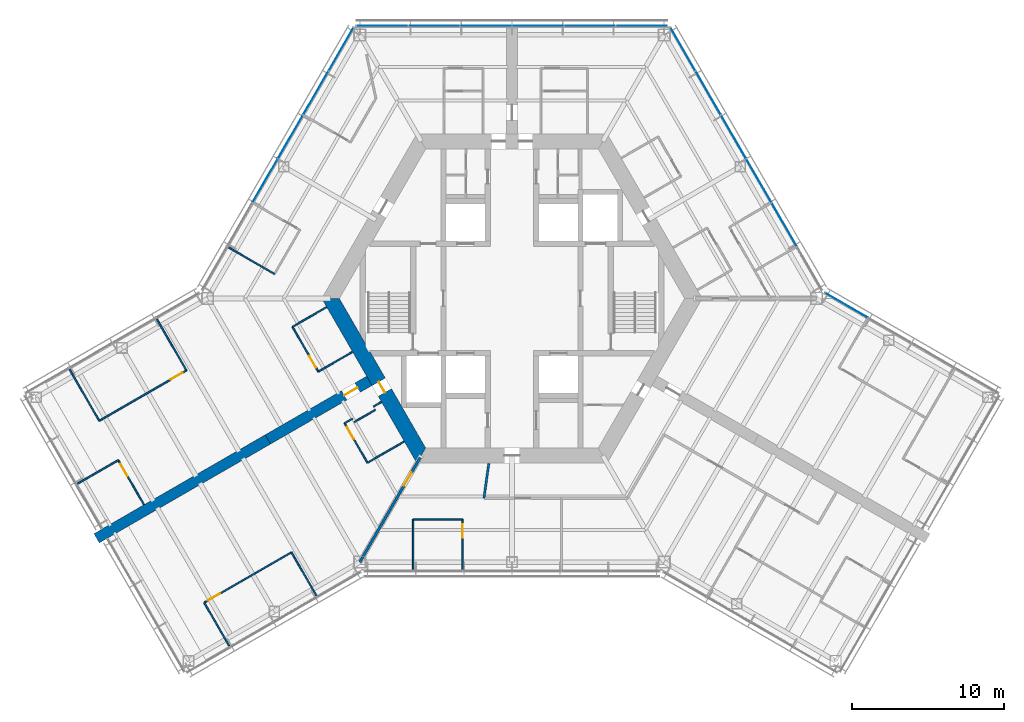
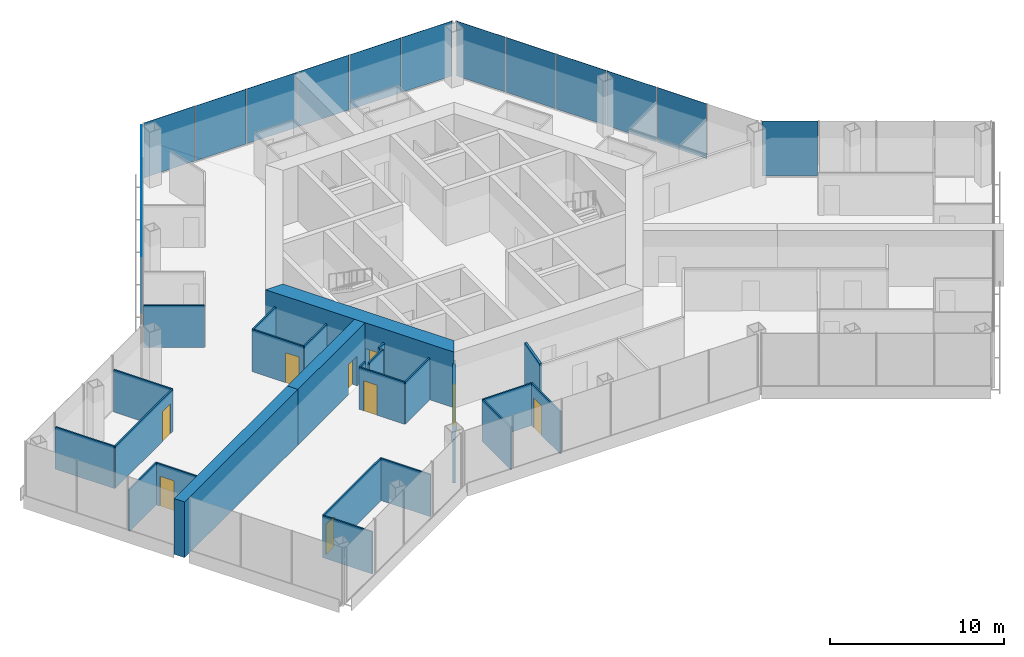
# One storey, part 11 of 18: 25 walls, 16 plates, 9 doors, 9 openings, 4 elements without a shape of their own.
"""IFC4 building model written with IfcOpenShell, lengths in metres."""

from ifc_helpers import new_model, si_unit, direction, frame, frame_2d, origin, origin_2d, place, context, subcontext, project, spatial, polyline, rectangle, outline, extrude, material, layer, layer_set, type_object, element, fill, aggregate, save


model = new_model("IFC4")

# Units and contexts
model_context = context("Model", 3, precision=1e-05, world=origin(), true_north=direction((0.0, 1.0)))
body_context = subcontext(model_context, "Body", "Model", "MODEL_VIEW")
ifc_project = project(units=[si_unit("LENGTHUNIT", "METRE"), si_unit("AREAUNIT", "SQUARE_METRE"), si_unit("VOLUMEUNIT", "CUBIC_METRE"), si_unit("PLANEANGLEUNIT", "RADIAN"), si_unit("MASSUNIT", "GRAM", prefix="KILO")], contexts=[model_context])

# Site, building, storey
site_placement = place(None, origin())
site = spatial("IfcSite", under=ifc_project, at=site_placement, CompositionType="ELEMENT")
building_placement = place(site_placement, origin())
building = spatial("IfcBuilding", under=site, at=building_placement, Name="Kasaneha Research Tower", CompositionType="ELEMENT")
storey_placement = place(building_placement, frame((0.0, 0.0, 176.0)))
storey = spatial("IfcBuildingStorey", under=building, at=storey_placement, Name="L44", CompositionType="ELEMENT", Elevation=176.0)

# Curtain wall, plate
ifc_material_1 = material(Name="Glass and aluminium", Category="aluminium")
curtain_wall_type = type_object("IfcCurtainWallType", Name="Mid-rise office curtain wall", PredefinedType="USERDEFINED", material=ifc_material_1)
curtain_wall_1_placement = place(storey_placement, origin())
curtain_wall_1 = element("IfcCurtainWall", 1, at=curtain_wall_1_placement, inside=storey, type_object=curtain_wall_type, Name="CW-O2 L44 run 05a", ObjectType="UNITISED CURTAIN WALL", PredefinedType="USERDEFINED")
ifc_material_2 = material(Name="Laminated double glazing", Category="glass")
ifc_layer_1 = layer(ifc_material_2, 0.02587890625)
ifc_layer_set_1 = layer_set([ifc_layer_1], Name="CW-O2 glazed panel")
plate_type = type_object("IfcPlateType", Name="CW-O2 glazed panel", PredefinedType="CURTAIN_PANEL", material=ifc_layer_set_1)
plate_1_placement = place(storey_placement, frame((21.971923828125, -0.44580078125, 0.06005859375), z_axis=(0.0, 0.0, 1.0), x_axis=(-0.866025411464, 0.499999986699, 0.0)))
plate_1 = element("IfcPlate", 2, at=plate_1_placement, type_object=plate_type, Name="CW-O2 panel 4", PredefinedType="CURTAIN_PANEL", context=body_context, shape_type="SweptSolid", body=[
    extrude(rectangle(XDim=3.2197265625, YDim=0.02587890625, at=origin_2d()), origin(), (0.0, 0.0, 1.0), 3.840087890625),
])
aggregate(curtain_wall_1, [plate_1])

# Curtain wall, plates
curtain_wall_2_placement = place(storey_placement, origin())
curtain_wall_2 = element("IfcCurtainWall", 3, at=curtain_wall_2_placement, inside=storey, type_object=curtain_wall_type, Name="CW-O2 L44 run 06a", ObjectType="UNITISED CURTAIN WALL", PredefinedType="USERDEFINED")
plate_2_placement = place(storey_placement, frame((17.89111328125, 4.852783203125, 0.06005859375), z_axis=(0.0, 0.0, 1.0), x_axis=(-0.499999979232, 0.866025415775, 0.0)))
plate_2 = element("IfcPlate", 4, at=plate_2_placement, type_object=plate_type, Name="CW-O2 panel 2", PredefinedType="CURTAIN_PANEL", context=body_context, shape_type="SweptSolid", body=[
    extrude(rectangle(XDim=3.27099609375, YDim=0.02587890625, at=origin_2d()), origin(), (0.0, 0.0, 1.0), 3.840087890625),
])
plate_3_placement = place(storey_placement, frame((16.2255859375, 7.737548828125, 0.06005859375), z_axis=(0.0, 0.0, 1.0), x_axis=(-0.499999979232, 0.866025415775, 0.0)))
plate_3 = element("IfcPlate", 5, at=plate_3_placement, type_object=plate_type, Name="CW-O2 panel 3", PredefinedType="CURTAIN_PANEL", context=body_context, shape_type="SweptSolid", body=[
    extrude(rectangle(XDim=3.27099609375, YDim=0.02587890625, at=origin_2d()), origin(), (0.0, 0.0, 1.0), 3.840087890625),
])
plate_4_placement = place(storey_placement, frame((14.56005859375, 10.622314453125, 0.06005859375), z_axis=(0.0, 0.0, 1.0), x_axis=(-0.499999979232, 0.866025415775, 0.0)))
plate_4 = element("IfcPlate", 6, at=plate_4_placement, type_object=plate_type, Name="CW-O2 panel 4", PredefinedType="CURTAIN_PANEL", context=body_context, shape_type="SweptSolid", body=[
    extrude(rectangle(XDim=3.27099609375, YDim=0.02587890625, at=origin_2d()), origin(), (0.0, 0.0, 1.0), 3.840087890625),
])
plate_5_placement = place(storey_placement, frame((12.89453125, 13.5068359375, 0.06005859375), z_axis=(0.0, 0.0, 1.0), x_axis=(-0.499999979232, 0.866025415775, 0.0)))
plate_5 = element("IfcPlate", 7, at=plate_5_placement, type_object=plate_type, Name="CW-O2 panel 5", PredefinedType="CURTAIN_PANEL", context=body_context, shape_type="SweptSolid", body=[
    extrude(rectangle(XDim=3.27099609375, YDim=0.02587890625, at=origin_2d()), origin(), (0.0, 0.0, 1.0), 3.840087890625),
])
plate_6_placement = place(storey_placement, frame((11.236572265625, 16.378662109375, 0.06005859375), z_axis=(0.0, 0.0, 1.0), x_axis=(-0.499999979232, 0.866025415775, 0.0)))
plate_6 = element("IfcPlate", 8, at=plate_6_placement, type_object=plate_type, Name="CW-O2 panel 6", PredefinedType="CURTAIN_PANEL", context=body_context, shape_type="SweptSolid", body=[
    extrude(rectangle(XDim=3.240966796875, YDim=0.02587890625, at=origin_2d()), origin(), (0.0, 0.0, 1.0), 3.840087890625),
])
aggregate(curtain_wall_2, [plate_2, plate_3, plate_4, plate_5, plate_6])

curtain_wall_3_placement = place(storey_placement, origin())
curtain_wall_3 = element("IfcCurtainWall", 9, at=curtain_wall_3_placement, inside=storey, type_object=curtain_wall_type, Name="CW-O2 L44 run 07a", ObjectType="UNITISED CURTAIN WALL", PredefinedType="USERDEFINED")
plate_7_placement = place(storey_placement, frame((8.523681640625, 17.92041015625, 0.06005859375), z_axis=(0.0, 0.0, 1.0), x_axis=(-1.0, 0.0, 0.0)))
plate_7 = element("IfcPlate", 10, at=plate_7_placement, type_object=plate_type, Name="CW-O2 panel 1", PredefinedType="CURTAIN_PANEL", context=body_context, shape_type="SweptSolid", body=[
    extrude(rectangle(XDim=3.325439453125, YDim=0.02587890625, at=origin_2d()), origin(), (0.0, 0.0, 1.0), 3.840087890625),
])
plate_8_placement = place(storey_placement, frame((5.123291015625, 17.92041015625, 0.06005859375), z_axis=(0.0, 0.0, 1.0), x_axis=(-1.0, 0.0, 0.0)))
plate_8 = element("IfcPlate", 11, at=plate_8_placement, type_object=plate_type, Name="CW-O2 panel 2", PredefinedType="CURTAIN_PANEL", context=body_context, shape_type="SweptSolid", body=[
    extrude(rectangle(XDim=3.35546875, YDim=0.02587890625, at=origin_2d()), origin(), (0.0, 0.0, 1.0), 3.840087890625),
])
plate_9_placement = place(storey_placement, frame((1.707763671875, 17.92041015625, 0.06005859375), z_axis=(0.0, 0.0, 1.0), x_axis=(-1.0, 0.0, 0.0)))
plate_9 = element("IfcPlate", 12, at=plate_9_placement, type_object=plate_type, Name="CW-O2 panel 3", PredefinedType="CURTAIN_PANEL", context=body_context, shape_type="SweptSolid", body=[
    extrude(rectangle(XDim=3.35546875, YDim=0.02587890625, at=origin_2d()), origin(), (0.0, 0.0, 1.0), 3.840087890625),
])
plate_10_placement = place(storey_placement, frame((-1.707763671875, 17.92041015625, 0.06005859375), z_axis=(0.0, 0.0, 1.0), x_axis=(-1.0, 0.0, 0.0)))
plate_10 = element("IfcPlate", 13, at=plate_10_placement, type_object=plate_type, Name="CW-O2 panel 4", PredefinedType="CURTAIN_PANEL", context=body_context, shape_type="SweptSolid", body=[
    extrude(rectangle(XDim=3.35546875, YDim=0.02587890625, at=origin_2d()), origin(), (0.0, 0.0, 1.0), 3.840087890625),
])
plate_11_placement = place(storey_placement, frame((-5.123291015625, 17.92041015625, 0.06005859375), z_axis=(0.0, 0.0, 1.0), x_axis=(-1.0, 0.0, 0.0)))
plate_11 = element("IfcPlate", 14, at=plate_11_placement, type_object=plate_type, Name="CW-O2 panel 5", PredefinedType="CURTAIN_PANEL", context=body_context, shape_type="SweptSolid", body=[
    extrude(rectangle(XDim=3.35546875, YDim=0.02587890625, at=origin_2d()), origin(), (0.0, 0.0, 1.0), 3.840087890625),
])
plate_12_placement = place(storey_placement, frame((-8.523681640625, 17.92041015625, 0.06005859375), z_axis=(0.0, 0.0, 1.0), x_axis=(-1.0, 0.0, 0.0)))
plate_12 = element("IfcPlate", 15, at=plate_12_placement, type_object=plate_type, Name="CW-O2 panel 6", PredefinedType="CURTAIN_PANEL", context=body_context, shape_type="SweptSolid", body=[
    extrude(rectangle(XDim=3.325439453125, YDim=0.02587890625, at=origin_2d()), origin(), (0.0, 0.0, 1.0), 3.840087890625),
])
aggregate(curtain_wall_3, [plate_7, plate_8, plate_9, plate_10, plate_11, plate_12])

curtain_wall_4_placement = place(storey_placement, origin())
curtain_wall_4 = element("IfcCurtainWall", 16, at=curtain_wall_4_placement, inside=storey, type_object=curtain_wall_type, Name="CW-O2 L44 run 08a", ObjectType="UNITISED CURTAIN WALL", PredefinedType="USERDEFINED")
plate_13_placement = place(storey_placement, frame((-11.236572265625, 16.378662109375, 0.06005859375), z_axis=(0.0, 0.0, 1.0), x_axis=(-0.499999979232, -0.866025415775, 0.0)))
plate_13 = element("IfcPlate", 17, at=plate_13_placement, type_object=plate_type, Name="CW-O2 panel 1", PredefinedType="CURTAIN_PANEL", context=body_context, shape_type="SweptSolid", body=[
    extrude(rectangle(XDim=3.240966796875, YDim=0.02587890625, at=origin_2d()), origin(), (0.0, 0.0, 1.0), 3.840087890625),
])
plate_14_placement = place(storey_placement, frame((-12.89453125, 13.5068359375, 0.06005859375), z_axis=(0.0, 0.0, 1.0), x_axis=(-0.499999979232, -0.866025415775, 0.0)))
plate_14 = element("IfcPlate", 18, at=plate_14_placement, type_object=plate_type, Name="CW-O2 panel 2", PredefinedType="CURTAIN_PANEL", context=body_context, shape_type="SweptSolid", body=[
    extrude(rectangle(XDim=3.27099609375, YDim=0.02587890625, at=origin_2d()), origin(), (0.0, 0.0, 1.0), 3.840087890625),
])
plate_15_placement = place(storey_placement, frame((-14.56005859375, 10.622314453125, 0.06005859375), z_axis=(0.0, 0.0, 1.0), x_axis=(-0.499999979232, -0.866025415775, 0.0)))
plate_15 = element("IfcPlate", 19, at=plate_15_placement, type_object=plate_type, Name="CW-O2 panel 3", PredefinedType="CURTAIN_PANEL", context=body_context, shape_type="SweptSolid", body=[
    extrude(rectangle(XDim=3.27099609375, YDim=0.02587890625, at=origin_2d()), origin(), (0.0, 0.0, 1.0), 3.840087890625),
])
plate_16_placement = place(storey_placement, frame((-16.2255859375, 7.737548828125, 0.06005859375), z_axis=(0.0, 0.0, 1.0), x_axis=(-0.499999979232, -0.866025415775, 0.0)))
plate_16 = element("IfcPlate", 20, at=plate_16_placement, type_object=plate_type, Name="CW-O2 panel 4", PredefinedType="CURTAIN_PANEL", context=body_context, shape_type="SweptSolid", body=[
    extrude(rectangle(XDim=3.27099609375, YDim=0.02587890625, at=origin_2d()), origin(), (0.0, 0.0, 1.0), 3.840087890625),
])
aggregate(curtain_wall_4, [plate_13, plate_14, plate_15, plate_16])

# Wall, opening, door
ifc_material_3 = material(Name="Concrete Fc70", Category="concrete")
ifc_layer_2 = layer(ifc_material_3, 1.0)
ifc_layer_set_2 = layer_set([ifc_layer_2], Name="Core wall 1000 Fc70")
wall_type_1 = type_object("IfcWallType", Name="Core wall 1000 Fc70", PredefinedType="SHEAR", material=ifc_layer_set_2)
wall_1_placement = place(storey_placement, frame((-11.92236328125, 0.0, 0.0), z_axis=(0.0, 0.0, 1.0), x_axis=(0.500004296715, -0.866022923061, 0.0)))
wall_1 = element("IfcWall", 21, at=wall_1_placement, inside=storey, type_object=wall_type_1, Name="Core wall 210 L44", PredefinedType="SHEAR", context=body_context, shape_type="SweptSolid", body=[
    extrude(outline(polyline([(-0.28857421875, -0.5), (6.3310546875, -0.5), (7.131103515625, -0.5), (12.2109375, -0.5), (11.6337890625, 0.5), (7.131103515625, 0.5), (6.3310546875, 0.5), (0.28857421875, 0.5), (-0.28857421875, -0.5)])), origin(), (0.0, 0.0, 1.0), 3.89990234375),
])
opening_1_placement = place(wall_1_placement, frame((6.3310546875, 0.0, 0.0)))
opening_1 = element("IfcOpeningElement", 22, at=opening_1_placement, cuts=wall_1, Name="Opening L44-D06", PredefinedType="OPENING", context=body_context, shape_type="SweptSolid", body=[
    extrude(rectangle(XDim=0.800048828125, YDim=2.10009765625, at=frame_2d((0.39990234375, 1.050048828125))), frame((0.0, 0.510009765625, 0.0), z_axis=(0.0, -1.0, 0.0), x_axis=(1.0, 0.0, 0.0)), (0.0, 0.0, 1.0), 1.02001953125),
])
ifc_material_4 = material(Name="Steel", Category="steel")
door_type_1 = type_object("IfcDoorType", Name="Riser access door FD60 800x2100", OperationType="NOTDEFINED", PredefinedType="DOOR", material=ifc_material_4)
door_1_placement = place(opening_1_placement, origin())
door_1 = element("IfcDoor", 23, at=door_1_placement, inside=storey, type_object=door_type_1, Name="Duct riser door L44-D06", OperationType="SINGLE_SWING_RIGHT", OverallHeight=2.10009765625, OverallWidth=0.800048828125, PredefinedType="DOOR", context=body_context, shape_type="SweptSolid", body=[
    extrude(rectangle(XDim=0.800048828125, YDim=2.10009765625, at=frame_2d((0.39990234375, 1.050048828125))), frame((0.0, 0.02490234375, 0.0), z_axis=(0.0, -1.0, 0.0), x_axis=(1.0, 0.0, 0.0)), (0.0, 0.0, 1.0), 0.050048828125),
])
fill(opening_1, door_1)

# Walls
ifc_material_5 = material(Name="Gypsum board on steel studs, one layer each side", Category="steel")
ifc_layer_3 = layer(ifc_material_5, 0.10009765625)
ifc_layer_set_3 = layer_set([ifc_layer_3], Name="Office partition 100")
wall_type_2 = type_object("IfcWallType", Name="Office partition 100", PredefinedType="PARTITIONING", material=ifc_layer_set_3)
wall_2_placement = place(storey_placement, frame((-15.606201171875, 1.610595703125, 0.0), z_axis=(0.0, 0.0, 1.0), x_axis=(-0.86601968407, 0.500009906705, 0.0)))
element("IfcWall", 24, at=wall_2_placement, inside=storey, type_object=wall_type_2, Name="Office partition FBN05 L44", PredefinedType="PARTITIONING", context=body_context, shape_type="SweptSolid", body=[
    extrude(rectangle(XDim=3.47998046875, YDim=0.10009765625, at=frame_2d((1.739990234375, 0.0))), origin(), (0.0, 0.0, 1.0), 2.949951171875),
])
wall_3_placement = place(storey_placement, frame((-27.125, -8.03955078125, 0.0), z_axis=(0.0, 0.0, 1.0), x_axis=(-0.499978621081, 0.866037746557, 0.0)))
element("IfcWall", 25, at=wall_3_placement, inside=storey, type_object=wall_type_2, Name="Office partition FBN07 L44", PredefinedType="PARTITIONING", context=body_context, shape_type="SweptSolid", body=[
    extrude(rectangle(XDim=3.905029296875, YDim=0.10009765625, at=frame_2d((1.95263671875, 0.0))), origin(), (0.0, 0.0, 1.0), 2.949951171875),
])
wall_4_placement = place(storey_placement, frame((-23.332275390625, -1.36962890625, 0.0), z_axis=(0.0, 0.0, 1.0), x_axis=(0.500043804875, -0.866000111551, 0.0)))
element("IfcWall", 26, at=wall_4_placement, inside=storey, type_object=wall_type_2, Name="Office partition FBN08 L44", PredefinedType="PARTITIONING", context=body_context, shape_type="SweptSolid", body=[
    extrude(rectangle(XDim=3.880126953125, YDim=0.10009765625, at=frame_2d((1.93994140625, 0.0))), origin(), (0.0, 0.0, 1.0), 2.949951171875),
])

# Wall, opening, door
wall_5_placement = place(storey_placement, frame((-21.39208984375, -4.729736328125, 0.0), z_axis=(0.0, 0.0, 1.0), x_axis=(-0.866030817826, -0.499990622488, 0.0)))
wall_5 = element("IfcWall", 27, at=wall_5_placement, inside=storey, type_object=wall_type_2, Name="Office partition FBN09 L44", PredefinedType="PARTITIONING", context=body_context, shape_type="SweptSolid", body=[
    extrude(rectangle(XDim=6.619873046875, YDim=0.10009765625, at=frame_2d((3.31005859375, 0.0))), origin(), (0.0, 0.0, 1.0), 2.949951171875),
])
opening_2_placement = place(wall_5_placement, frame((0.300048828125, 0.0, 0.0)))
opening_2 = element("IfcOpeningElement", 28, at=opening_2_placement, cuts=wall_5, Name="Opening L44-D37", PredefinedType="OPENING", context=body_context, shape_type="SweptSolid", body=[
    extrude(rectangle(XDim=0.89990234375, YDim=2.10009765625, at=frame_2d((0.449951171875, 1.050048828125))), frame((0.0, 0.06005859375, 0.0), z_axis=(0.0, -1.0, 0.0), x_axis=(1.0, 0.0, 0.0)), (0.0, 0.0, 1.0), 0.1201171875),
])
ifc_material_6 = material(Name="Timber veneer", Category="wood")
door_type_2 = type_object("IfcDoorType", Name="Office door 900x2100", OperationType="SINGLE_SWING_LEFT", PredefinedType="DOOR", material=ifc_material_6)
door_2_placement = place(opening_2_placement, origin())
door_2 = element("IfcDoor", 29, at=door_2_placement, inside=storey, type_object=door_type_2, Name="Meeting room door L44-D37", OperationType="SINGLE_SWING_LEFT", OverallHeight=2.10009765625, OverallWidth=0.89990234375, PredefinedType="DOOR", context=body_context, shape_type="SweptSolid", body=[
    extrude(rectangle(XDim=0.89990234375, YDim=2.10009765625, at=frame_2d((0.449951171875, 1.050048828125))), frame((0.0, 0.02490234375, 0.0), z_axis=(0.0, -1.0, 0.0), x_axis=(1.0, 0.0, 0.0)), (0.0, 0.0, 1.0), 0.050048828125),
])
fill(opening_2, door_2)

# Wall
wall_6_placement = place(storey_placement, frame((-14.426513671875, -1.86279296875, 0.0), z_axis=(0.0, 0.0, 1.0), x_axis=(0.866045356598, 0.49996543912, 0.0)))
element("IfcWall", 30, at=wall_6_placement, inside=storey, type_object=wall_type_2, Name="Office partition FBN10 L44", PredefinedType="PARTITIONING", context=body_context, shape_type="SweptSolid", body=[
    extrude(rectangle(XDim=2.580322265625, YDim=0.10009765625, at=frame_2d((1.2900390625, 0.0))), origin(), (0.0, 0.0, 1.0), 2.949951171875),
])

# Wall, opening, door
wall_7_placement = place(storey_placement, frame((-12.726318359375, -4.80712890625, 0.0), z_axis=(0.0, 0.0, 1.0), x_axis=(-0.500062241894, 0.865989465428, 0.0)))
wall_7 = element("IfcWall", 31, at=wall_7_placement, inside=storey, type_object=wall_type_2, Name="Office partition FBN11 L44", PredefinedType="PARTITIONING", context=body_context, shape_type="SweptSolid", body=[
    extrude(rectangle(XDim=3.39990234375, YDim=0.10009765625, at=frame_2d((1.699951171875, 0.0))), origin(), (0.0, 0.0, 1.0), 2.949951171875),
])
opening_3_placement = place(wall_7_placement, frame((0.300048828125, 0.0, 0.0)))
opening_3 = element("IfcOpeningElement", 32, at=opening_3_placement, cuts=wall_7, Name="Opening L44-D38", PredefinedType="OPENING", context=body_context, shape_type="SweptSolid", body=[
    extrude(rectangle(XDim=0.89990234375, YDim=2.10009765625, at=frame_2d((0.449951171875, 1.050048828125))), frame((0.0, 0.06005859375, 0.0), z_axis=(0.0, -1.0, 0.0), x_axis=(1.0, 0.0, 0.0)), (0.0, 0.0, 1.0), 0.1201171875),
])
door_3_placement = place(opening_3_placement, origin())
door_3 = element("IfcDoor", 33, at=door_3_placement, inside=storey, type_object=door_type_2, Name="Phone room door L44-D38", OperationType="SINGLE_SWING_LEFT", OverallHeight=2.10009765625, OverallWidth=0.89990234375, PredefinedType="DOOR", context=body_context, shape_type="SweptSolid", body=[
    extrude(rectangle(XDim=0.89990234375, YDim=2.10009765625, at=frame_2d((0.449951171875, 1.050048828125))), frame((0.0, 0.02490234375, 0.0), z_axis=(0.0, -1.0, 0.0), x_axis=(1.0, 0.0, 0.0)), (0.0, 0.0, 1.0), 0.050048828125),
])
fill(opening_3, door_3)

# Walls
wall_8_placement = place(storey_placement, frame((-10.491943359375, -3.51708984375, 0.0), z_axis=(0.0, 0.0, 1.0), x_axis=(-0.866021702275, -0.500006411147, 0.0)))
element("IfcWall", 34, at=wall_8_placement, inside=storey, type_object=wall_type_2, Name="Office partition FBN12 L44", PredefinedType="PARTITIONING", context=body_context, shape_type="SweptSolid", body=[
    extrude(rectangle(XDim=2.580078125, YDim=0.10009765625, at=frame_2d((1.2900390625, 0.0))), origin(), (0.0, 0.0, 1.0), 2.949951171875),
])
wall_9_placement = place(storey_placement, frame((-28.5625, -12.1796875, 0.0), z_axis=(0.0, 0.0, 1.0), x_axis=(0.866042875753, 0.499969736442, 0.0)))
element("IfcWall", 35, at=wall_9_placement, inside=storey, type_object=wall_type_2, Name="Office partition FBN13 L44", PredefinedType="PARTITIONING", context=body_context, shape_type="SweptSolid", body=[
    extrude(rectangle(XDim=3.105224609375, YDim=0.10009765625, at=frame_2d((1.552734375, 0.0))), origin(), (0.0, 0.0, 1.0), 2.949951171875),
])

# Wall, opening, door
wall_10_placement = place(storey_placement, frame((-25.873291015625, -10.627197265625, 0.0), z_axis=(0.0, 0.0, 1.0), x_axis=(0.5000115033, -0.866018762249, 0.0)))
wall_10 = element("IfcWall", 36, at=wall_10_placement, inside=storey, type_object=wall_type_2, Name="Office partition FBN14 L44", PredefinedType="PARTITIONING", context=body_context, shape_type="SweptSolid", body=[
    extrude(rectangle(XDim=3.36328125, YDim=0.10009765625, at=frame_2d((1.681640625, 0.0))), origin(), (0.0, 0.0, 1.0), 2.949951171875),
])
opening_4_placement = place(wall_10_placement, frame((0.300048828125, 0.0, 0.0)))
opening_4 = element("IfcOpeningElement", 37, at=opening_4_placement, cuts=wall_10, Name="Opening L44-D39", PredefinedType="OPENING", context=body_context, shape_type="SweptSolid", body=[
    extrude(rectangle(XDim=0.89990234375, YDim=2.10009765625, at=frame_2d((0.449951171875, 1.050048828125))), frame((0.0, 0.06005859375, 0.0), z_axis=(0.0, -1.0, 0.0), x_axis=(1.0, 0.0, 0.0)), (0.0, 0.0, 1.0), 0.1201171875),
])
door_4_placement = place(opening_4_placement, origin())
door_4 = element("IfcDoor", 38, at=door_4_placement, inside=storey, type_object=door_type_2, Name="Workroom door L44-D39", OperationType="SINGLE_SWING_LEFT", OverallHeight=2.10009765625, OverallWidth=0.89990234375, PredefinedType="DOOR", context=body_context, shape_type="SweptSolid", body=[
    extrude(rectangle(XDim=0.89990234375, YDim=2.10009765625, at=frame_2d((0.449951171875, 1.050048828125))), frame((0.0, 0.02490234375, 0.0), z_axis=(0.0, -1.0, 0.0), x_axis=(1.0, 0.0, 0.0)), (0.0, 0.0, 1.0), 0.050048828125),
])
fill(opening_4, door_4)

# Walls
wall_11_placement = place(storey_placement, frame((-10.99951171875, -8.197998046875, 0.0), z_axis=(0.0, 0.0, 1.0), x_axis=(0.866131372301, 0.499816412211, 0.0)))
element("IfcWall", 39, at=wall_11_placement, inside=storey, type_object=wall_type_2, Name="Office partition FBS01 L44", PredefinedType="PARTITIONING", context=body_context, shape_type="SweptSolid", body=[
    extrude(rectangle(XDim=0.599853515625, YDim=0.10009765625, at=frame_2d((0.2998046875, 0.0))), origin(), (0.0, 0.0, 1.0), 2.949951171875),
])
wall_12_placement = place(storey_placement, frame((-10.35498046875, -8.114501953125, 0.0), z_axis=(0.0, 0.0, 1.0), x_axis=(0.866094119867, 0.499880961361, 0.0)))
element("IfcWall", 40, at=wall_12_placement, inside=storey, type_object=wall_type_2, Name="Office partition FBS02 L44", PredefinedType="PARTITIONING", context=body_context, shape_type="SweptSolid", body=[
    extrude(rectangle(XDim=1.60009765625, YDim=0.10009765625, at=frame_2d((0.800048828125, 0.0))), origin(), (0.0, 0.0, 1.0), 2.949951171875),
])

# Wall, opening, door
wall_13_placement = place(storey_placement, frame((-9.49951171875, -10.796142578125, 0.0), z_axis=(0.0, 0.0, 1.0), x_axis=(-0.499990139034, 0.866031096941, 0.0)))
wall_13 = element("IfcWall", 41, at=wall_13_placement, inside=storey, type_object=wall_type_2, Name="Office partition FBS03 L44", PredefinedType="PARTITIONING", context=body_context, shape_type="SweptSolid", body=[
    extrude(rectangle(XDim=3.0, YDim=0.10009765625, at=frame_2d((1.5, 0.0))), origin(), (0.0, 0.0, 1.0), 2.949951171875),
])
opening_5_placement = place(wall_13_placement, frame((1.800048828125, 0.0, 0.0)))
opening_5 = element("IfcOpeningElement", 42, at=opening_5_placement, cuts=wall_13, Name="Opening L44-D40", PredefinedType="OPENING", context=body_context, shape_type="SweptSolid", body=[
    extrude(rectangle(XDim=0.89990234375, YDim=2.10009765625, at=frame_2d((0.449951171875, 1.050048828125))), frame((0.0, 0.06005859375, 0.0), z_axis=(0.0, -1.0, 0.0), x_axis=(1.0, 0.0, 0.0)), (0.0, 0.0, 1.0), 0.1201171875),
])
door_5_placement = place(opening_5_placement, origin())
door_5 = element("IfcDoor", 43, at=door_5_placement, inside=storey, type_object=door_type_2, Name="Pantry door L44-D40", OperationType="SINGLE_SWING_RIGHT", OverallHeight=2.10009765625, OverallWidth=0.89990234375, PredefinedType="DOOR", context=body_context, shape_type="SweptSolid", body=[
    extrude(rectangle(XDim=0.89990234375, YDim=2.10009765625, at=frame_2d((0.449951171875, 1.050048828125))), frame((0.0, 0.02490234375, 0.0), z_axis=(0.0, -1.0, 0.0), x_axis=(1.0, 0.0, 0.0)), (0.0, 0.0, 1.0), 0.050048828125),
])
fill(opening_5, door_5)

# Walls
wall_14_placement = place(storey_placement, frame((-9.09423828125, -7.09814453125, 0.0), z_axis=(0.0, 0.0, 1.0), x_axis=(0.865954211699, 0.50012328804, 0.0)))
element("IfcWall", 44, at=wall_14_placement, inside=storey, type_object=wall_type_2, Name="Office partition FBS04 L44", PredefinedType="PARTITIONING", context=body_context, shape_type="SweptSolid", body=[
    extrude(rectangle(XDim=0.579833984375, YDim=0.10009765625, at=frame_2d((0.2900390625, 0.0))), origin(), (0.0, 0.0, 1.0), 2.949951171875),
])
wall_15_placement = place(storey_placement, frame((-7.092041015625, -9.40625, 0.0), z_axis=(0.0, 0.0, 1.0), x_axis=(-0.86603494908, -0.499983466698, 0.0)))
element("IfcWall", 45, at=wall_15_placement, inside=storey, type_object=wall_type_2, Name="Office partition FBS05 L44", PredefinedType="PARTITIONING", context=body_context, shape_type="SweptSolid", body=[
    extrude(rectangle(XDim=2.77978515625, YDim=0.10009765625, at=frame_2d((1.389892578125, 0.0))), origin(), (0.0, 0.0, 1.0), 2.949951171875),
])

# Wall, opening, door
wall_16_placement = place(storey_placement, frame((-20.22509765625, -19.99072265625, 0.0), z_axis=(0.0, 0.0, 1.0), x_axis=(0.866030817826, 0.499990622488, 0.0)))
wall_16 = element("IfcWall", 46, at=wall_16_placement, inside=storey, type_object=wall_type_2, Name="Office partition FBS06 L44", PredefinedType="PARTITIONING", context=body_context, shape_type="SweptSolid", body=[
    extrude(rectangle(XDim=6.619873046875, YDim=0.10009765625, at=frame_2d((3.31005859375, 0.0))), origin(), (0.0, 0.0, 1.0), 2.949951171875),
])
opening_6_placement = place(wall_16_placement, frame((0.300048828125, 0.0, 0.0)))
opening_6 = element("IfcOpeningElement", 47, at=opening_6_placement, cuts=wall_16, Name="Opening L44-D41", PredefinedType="OPENING", context=body_context, shape_type="SweptSolid", body=[
    extrude(rectangle(XDim=0.89990234375, YDim=2.10009765625, at=frame_2d((0.449951171875, 1.050048828125))), frame((0.0, 0.06005859375, 0.0), z_axis=(0.0, -1.0, 0.0), x_axis=(1.0, 0.0, 0.0)), (0.0, 0.0, 1.0), 0.1201171875),
])
door_6_placement = place(opening_6_placement, origin())
door_6 = element("IfcDoor", 48, at=door_6_placement, inside=storey, type_object=door_type_2, Name="Manager's office door L44-D41", OperationType="SINGLE_SWING_LEFT", OverallHeight=2.10009765625, OverallWidth=0.89990234375, PredefinedType="DOOR", context=body_context, shape_type="SweptSolid", body=[
    extrude(rectangle(XDim=0.89990234375, YDim=2.10009765625, at=frame_2d((0.449951171875, 1.050048828125))), frame((0.0, 0.02490234375, 0.0), z_axis=(0.0, -1.0, 0.0), x_axis=(1.0, 0.0, 0.0)), (0.0, 0.0, 1.0), 0.050048828125),
])
fill(opening_6, door_6)

# Walls
wall_17_placement = place(storey_placement, frame((-18.5849609375, -22.831298828125, 0.0), z_axis=(0.0, 0.0, 1.0), x_axis=(-0.50002956483, 0.866008333849, 0.0)))
element("IfcWall", 49, at=wall_17_placement, inside=storey, type_object=wall_type_2, Name="Office partition FBS07 L44", PredefinedType="PARTITIONING", context=body_context, shape_type="SweptSolid", body=[
    extrude(rectangle(XDim=3.280029296875, YDim=0.10009765625, at=frame_2d((1.64013671875, 0.0))), origin(), (0.0, 0.0, 1.0), 2.949951171875),
])
wall_18_placement = place(storey_placement, frame((-14.4921875, -16.680908203125, 0.0), z_axis=(0.0, 0.0, 1.0), x_axis=(0.500008057651, -0.866020751647, 0.0)))
element("IfcWall", 50, at=wall_18_placement, inside=storey, type_object=wall_type_2, Name="Office partition FBS08 L44", PredefinedType="PARTITIONING", context=body_context, shape_type="SweptSolid", body=[
    extrude(rectangle(XDim=3.30517578125, YDim=0.10009765625, at=frame_2d((1.652587890625, 0.0))), origin(), (0.0, 0.0, 1.0), 2.949951171875),
])
wall_19_placement = place(storey_placement, frame((-6.492919921875, -17.800537109375, 0.0), z_axis=(0.0, 0.0, 1.0), x_axis=(0.0, 1.0, 0.0)))
element("IfcWall", 51, at=wall_19_placement, inside=storey, type_object=wall_type_2, Name="Office partition FCS12 L44", PredefinedType="PARTITIONING", context=body_context, shape_type="SweptSolid", body=[
    extrude(rectangle(XDim=3.280029296875, YDim=0.10009765625, at=frame_2d((1.64013671875, 0.0))), origin(), (0.0, 0.0, 1.0), 2.949951171875),
])
wall_20_placement = place(storey_placement, frame((-6.492919921875, -14.5205078125, 0.0), z_axis=(0.0, 0.0, 1.0), x_axis=(1.0, 0.0, 0.0)))
element("IfcWall", 52, at=wall_20_placement, inside=storey, type_object=wall_type_2, Name="Office partition FCS13 L44", PredefinedType="PARTITIONING", context=body_context, shape_type="SweptSolid", body=[
    extrude(rectangle(XDim=3.24658203125, YDim=0.10009765625, at=frame_2d((1.623291015625, 0.0))), origin(), (0.0, 0.0, 1.0), 2.949951171875),
])

# Wall, opening, door
wall_21_placement = place(storey_placement, frame((-3.246337890625, -14.5205078125, 0.0), z_axis=(0.0, 0.0, 1.0), x_axis=(0.0, -1.0, 0.0)))
wall_21 = element("IfcWall", 53, at=wall_21_placement, inside=storey, type_object=wall_type_2, Name="Office partition FCS14 L44", PredefinedType="PARTITIONING", context=body_context, shape_type="SweptSolid", body=[
    extrude(rectangle(XDim=3.330078125, YDim=0.10009765625, at=frame_2d((1.6650390625, 0.0))), origin(), (0.0, 0.0, 1.0), 2.949951171875),
])
opening_7_placement = place(wall_21_placement, frame((0.300048828125, 0.0, 0.0)))
opening_7 = element("IfcOpeningElement", 54, at=opening_7_placement, cuts=wall_21, Name="Opening L44-D48", PredefinedType="OPENING", context=body_context, shape_type="SweptSolid", body=[
    extrude(rectangle(XDim=0.89990234375, YDim=2.10009765625, at=frame_2d((0.449951171875, 1.050048828125))), frame((0.0, 0.06005859375, 0.0), z_axis=(0.0, -1.0, 0.0), x_axis=(1.0, 0.0, 0.0)), (0.0, 0.0, 1.0), 0.1201171875),
])
door_7_placement = place(opening_7_placement, origin())
door_7 = element("IfcDoor", 55, at=door_7_placement, inside=storey, type_object=door_type_2, Name="Manager's office door L44-D48", OperationType="SINGLE_SWING_LEFT", OverallHeight=2.10009765625, OverallWidth=0.89990234375, PredefinedType="DOOR", context=body_context, shape_type="SweptSolid", body=[
    extrude(rectangle(XDim=0.89990234375, YDim=2.10009765625, at=frame_2d((0.449951171875, 1.050048828125))), frame((0.0, 0.02490234375, 0.0), z_axis=(0.0, -1.0, 0.0), x_axis=(1.0, 0.0, 0.0)), (0.0, 0.0, 1.0), 0.050048828125),
])
fill(opening_7, door_7)

ifc_material_7 = material(Name="Concrete Fc70", Category="concrete")
ifc_layer_4 = layer(ifc_material_7, 0.699951171875)
ifc_layer_set_4 = layer_set([ifc_layer_4], Name="Spine wall 700 Fc70")
wall_type_3 = type_object("IfcWallType", Name="Spine wall 700 Fc70", PredefinedType="SHEAR", material=ifc_layer_set_4)
wall_22_placement = place(storey_placement, frame((-9.374755859375, -5.41259765625, 0.0), z_axis=(0.0, 0.0, 1.0), x_axis=(-0.866032377459, -0.499987921047, 0.0)))
wall_22 = element("IfcWall", 56, at=wall_22_placement, inside=storey, type_object=wall_type_3, Name="Spine wall B L44", PredefinedType="SHEAR", context=body_context, shape_type="SweptSolid", body=[
    extrude(rectangle(XDim=7.695556640625, YDim=0.699951171875, at=frame_2d((3.84765625, 0.0))), origin(), (0.0, 0.0, 1.0), 3.89990234375),
])
opening_8_placement = place(wall_22_placement, frame((0.89990234375, 0.0, 0.0)))
opening_8 = element("IfcOpeningElement", 57, at=opening_8_placement, cuts=wall_22, Name="Opening L44-D18", PredefinedType="OPENING", context=body_context, shape_type="SweptSolid", body=[
    extrude(rectangle(XDim=1.0, YDim=2.10009765625, at=frame_2d((0.5, 1.050048828125))), frame((0.0, 0.35986328125, 0.0), z_axis=(0.0, -1.0, 0.0), x_axis=(1.0, 0.0, 0.0)), (0.0, 0.0, 1.0), 0.719970703125),
])
ifc_material_8 = material(Name="Steel", Category="steel")
door_type_3 = type_object("IfcDoorType", Name="Specified fire door FD60 1000x2100", OperationType="NOTDEFINED", PredefinedType="DOOR", material=ifc_material_8)
door_8_placement = place(opening_8_placement, origin())
door_8 = element("IfcDoor", 58, at=door_8_placement, inside=storey, type_object=door_type_3, Name="Spine doorway B L44-D18", OperationType="SINGLE_SWING_LEFT", OverallHeight=2.10009765625, OverallWidth=1.0, PredefinedType="DOOR", context=body_context, shape_type="SweptSolid", body=[
    extrude(rectangle(XDim=1.0, YDim=2.10009765625, at=frame_2d((0.5, 1.050048828125))), frame((0.0, 0.02490234375, 0.0), z_axis=(0.0, -1.0, 0.0), x_axis=(1.0, 0.0, 0.0)), (0.0, 0.0, 1.0), 0.050048828125),
])
fill(opening_8, door_8)

# Walls
wall_23_placement = place(storey_placement, frame((-16.039306640625, -9.26025390625, 0.0), z_axis=(0.0, 0.0, 1.0), x_axis=(-0.866024837091, -0.50000098154, 0.0)))
element("IfcWall", 59, at=wall_23_placement, inside=storey, type_object=wall_type_3, Name="Spine wall B wing L44", PredefinedType="SHEAR", context=body_context, shape_type="SweptSolid", body=[
    extrude(rectangle(XDim=13.0, YDim=0.699951171875, at=frame_2d((6.5, 0.0))), origin(), (0.0, 0.0, 1.0), 3.89990234375),
])
ifc_material_9 = material(Name="Gypsum board on steel studs, two layers each side", Category="steel")
ifc_layer_5 = layer(ifc_material_9, 0.14990234375)
ifc_layer_set_5 = layer_set([ifc_layer_5], Name="Suite partition 150")
wall_type_4 = type_object("IfcWallType", Name="Suite partition 150", PredefinedType="PARTITIONING", material=ifc_layer_set_5)
wall_24_placement = place(storey_placement, frame((-1.844482421875, -13.125, 0.0), z_axis=(0.0, 0.0, 1.0), x_axis=(0.139119980631, 0.990275532864, 0.0)))
element("IfcWall", 60, at=wall_24_placement, inside=storey, type_object=wall_type_4, Name="Suite partition FCS04 L44", PredefinedType="PARTITIONING", context=body_context, shape_type="SweptSolid", body=[
    extrude(rectangle(XDim=2.302490234375, YDim=0.14990234375, at=frame_2d((1.1513671875, 0.0))), origin(), (0.0, 0.0, 1.0), 2.949951171875),
])

# Wall, opening, door
ifc_material_10 = material(Name="Gypsum board on steel studs, two layers each side", Category="steel")
ifc_layer_6 = layer(ifc_material_10, 0.175048828125)
ifc_layer_set_6 = layer_set([ifc_layer_6], Name="Tenancy fire partition 175")
wall_type_5 = type_object("IfcWallType", Name="Tenancy fire partition 175", PredefinedType="PARTITIONING", material=ifc_layer_set_6)
wall_25_placement = place(storey_placement, frame((-6.034912109375, -10.45263671875, 0.0), z_axis=(0.0, 0.0, 1.0), x_axis=(-0.499989830942, -0.866031274813, 0.0)))
wall_25 = element("IfcWall", 61, at=wall_25_placement, inside=storey, type_object=wall_type_5, Name="Tenancy fire partition T240 L44", PredefinedType="PARTITIONING", context=body_context, shape_type="SweptSolid", body=[
    extrude(rectangle(XDim=7.930419921875, YDim=0.175048828125, at=frame_2d((3.96533203125, 0.0))), origin(), (0.0, 0.0, 1.0), 3.050048828125),
])
opening_9_placement = place(wall_25_placement, frame((1.1298828125, 0.0, 0.0)))
opening_9 = element("IfcOpeningElement", 62, at=opening_9_placement, cuts=wall_25, Name="Opening L44-D26", PredefinedType="OPENING", context=body_context, shape_type="SweptSolid", body=[
    extrude(rectangle(XDim=1.0, YDim=2.10009765625, at=frame_2d((0.5, 1.050048828125))), frame((0.0, 0.09765625, 0.0), z_axis=(0.0, -1.0, 0.0), x_axis=(1.0, 0.0, 0.0)), (0.0, 0.0, 1.0), 0.195068359375),
])
ifc_material_11 = material(Name="Steel", Category="steel")
door_type_4 = type_object("IfcDoorType", Name="Suite entrance door FD60 1000x2100", OperationType="NOTDEFINED", PredefinedType="DOOR", material=ifc_material_11)
door_9_placement = place(opening_9_placement, origin())
door_9 = element("IfcDoor", 63, at=door_9_placement, inside=storey, type_object=door_type_4, Name="Connecting door L44-D26", OperationType="SINGLE_SWING_LEFT", OverallHeight=2.10009765625, OverallWidth=1.0, PredefinedType="DOOR", context=body_context, shape_type="SweptSolid", body=[
    extrude(rectangle(XDim=1.0, YDim=2.10009765625, at=frame_2d((0.5, 1.050048828125))), frame((0.0, 0.02490234375, 0.0), z_axis=(0.0, -1.0, 0.0), x_axis=(1.0, 0.0, 0.0)), (0.0, 0.0, 1.0), 0.050048828125),
])
fill(opening_9, door_9)

save(model, "model.ifc")
